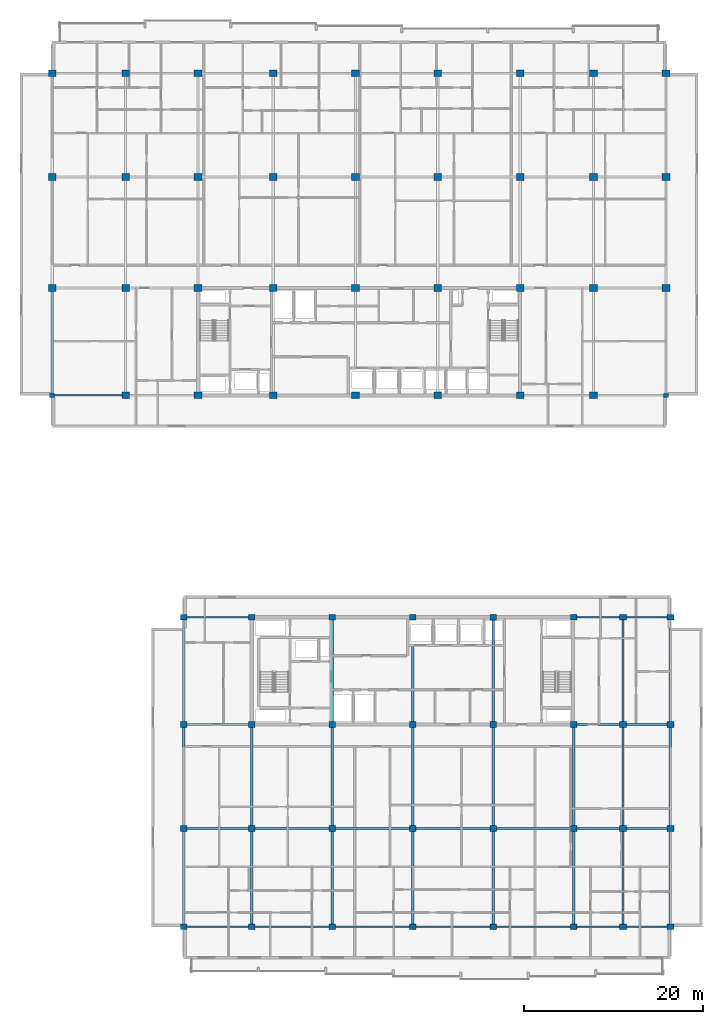
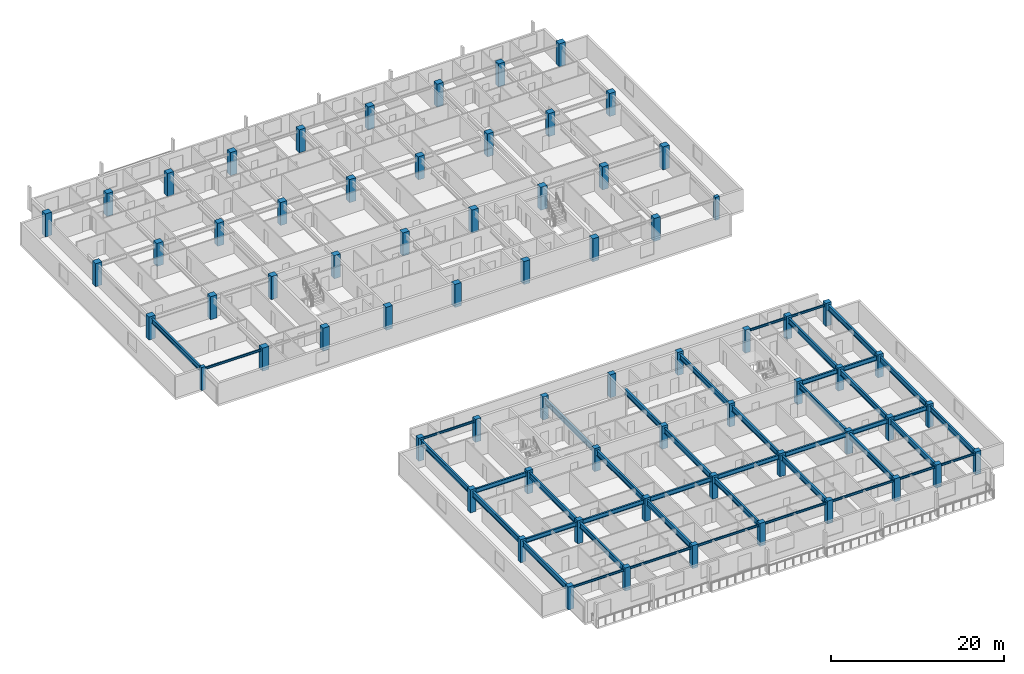
# One storey, part 1 of 23: 68 columns, 44 beams.
"""IFC4 building model written with IfcOpenShell, lengths in metres."""

from ifc_helpers import new_model, si_unit, direction, frame, origin, origin_2d, place, context, subcontext, project, spatial, rectangle, i_section, extrude, material, material_profile, profile_set, type_object, element, save


model = new_model("IFC4")

# Units and contexts
model_context = context("Model", 3, precision=1e-05, world=origin(), true_north=direction((0.0, 1.0)))
body_context = subcontext(model_context, "Body", "Model", "MODEL_VIEW")
ifc_project = project(units=[si_unit("LENGTHUNIT", "METRE"), si_unit("AREAUNIT", "SQUARE_METRE"), si_unit("VOLUMEUNIT", "CUBIC_METRE"), si_unit("PLANEANGLEUNIT", "RADIAN"), si_unit("MASSUNIT", "GRAM", prefix="KILO")], contexts=[model_context])

# Site, building, storey
site_placement = place(None, origin())
site = spatial("IfcSite", under=ifc_project, at=site_placement, CompositionType="ELEMENT")
building_placement = place(site_placement, origin())
building = spatial("IfcBuilding", under=site, at=building_placement, Name="Korimba Cascade Residences", CompositionType="ELEMENT")
storey_placement = place(building_placement, frame((0.0, 0.0, 165.35009765625)))
storey = spatial("IfcBuildingStorey", under=building, at=storey_placement, Name="L47", CompositionType="ELEMENT", Elevation=165.35009765625)

# Columns
ifc_material_1 = material(Name="Concrete C65/80", Category="concrete")
ifc_material_profile_1 = material_profile(ifc_material_1, rectangle(XDim=0.550048828125, YDim=0.449951171875, at=origin_2d()), Name="Concrete C65/80")
ifc_profile_set_1 = profile_set([ifc_material_profile_1], Name="Concrete C65/80")
column_type_1 = type_object("IfcColumnType", Name="COL-PIL-550", PredefinedType="PILASTER", material=ifc_profile_set_1)
for number, where, z_axis, x_axis, name in (
    (1, (59.800048828125, 55.199951171875, 0.0), (0.0, 0.0, 1.0), (1.0, 0.0, 0.0), "L47 Tower 1 Column 1.1"),
    (2, (128.39990234375, 55.199951171875, 0.0), (0.0, 0.0, 1.0), (1.0, 0.0, 0.0), "L47 Tower 1 Column 9.1"),
):
    element("IfcColumn", number, at=place(storey_placement, frame(where, z_axis=z_axis, x_axis=x_axis)), inside=storey, type_object=column_type_1, Name=name, PredefinedType="PILASTER", context=body_context, shape_type="SweptSolid", body=[
        extrude(rectangle(XDim=0.550048828125, YDim=0.449951171875, at=origin_2d()), origin(), (0.0, 0.0, 1.0), 3.25),
    ])
ifc_material_2 = material(Name="Concrete C50/60", Category="concrete")
ifc_material_profile_2 = material_profile(ifc_material_2, rectangle(XDim=0.75, YDim=0.64990234375, at=origin_2d()), Name="Concrete C50/60")
ifc_profile_set_2 = profile_set([ifc_material_profile_2], Name="Concrete C50/60")
column_type_2 = type_object("IfcColumnType", Name="COL-RC-750", PredefinedType="COLUMN", material=ifc_profile_set_2)
for number, where, z_axis, x_axis, name in (
    (3, (74.5, -4.199951171875, 0.0), (0.0, 0.0, 1.0), (1.0, 0.0, 0.0), "L47 Tower 2 Column 1.1"),
    (4, (74.5, 6.800048828125, 0.0), (0.0, 0.0, 1.0), (1.0, 0.0, 0.0), "L47 Tower 2 Column 1.2"),
    (5, (74.5, 18.39990234375, 0.0), (0.0, 0.0, 1.0), (1.0, 0.0, 0.0), "L47 Tower 2 Column 1.3"),
    (6, (74.5, 30.39990234375, 0.0), (0.0, 0.0, 1.0), (1.0, 0.0, 0.0), "L47 Tower 2 Column 1.4"),
    (7, (82.10009765625, -4.199951171875, 0.0), (0.0, 0.0, 1.0), (1.0, 0.0, 0.0), "L47 Tower 2 Column 2.1"),
    (8, (82.10009765625, 6.800048828125, 0.0), (0.0, 0.0, 1.0), (1.0, 0.0, 0.0), "L47 Tower 2 Column 2.2"),
    (9, (82.10009765625, 18.39990234375, 0.0), (0.0, 0.0, 1.0), (1.0, 0.0, 0.0), "L47 Tower 2 Column 2.3"),
    (10, (82.10009765625, 30.39990234375, 0.0), (0.0, 0.0, 1.0), (1.0, 0.0, 0.0), "L47 Tower 2 Column 2.4"),
    (11, (91.10009765625, -4.199951171875, 0.0), (0.0, 0.0, 1.0), (1.0, 0.0, 0.0), "L47 Tower 2 Column 3.1"),
    (12, (91.10009765625, 6.800048828125, 0.0), (0.0, 0.0, 1.0), (1.0, 0.0, 0.0), "L47 Tower 2 Column 3.2"),
    (13, (91.10009765625, 18.39990234375, 0.0), (0.0, 0.0, 1.0), (1.0, 0.0, 0.0), "L47 Tower 2 Column 3.3"),
    (14, (91.10009765625, 30.39990234375, 0.0), (0.0, 0.0, 1.0), (1.0, 0.0, 0.0), "L47 Tower 2 Column 3.4"),
    (15, (100.10009765625, -4.199951171875, 0.0), (0.0, 0.0, 1.0), (1.0, 0.0, 0.0), "L47 Tower 2 Column 4.1"),
    (16, (100.10009765625, 6.800048828125, 0.0), (0.0, 0.0, 1.0), (1.0, 0.0, 0.0), "L47 Tower 2 Column 4.2"),
    (17, (100.10009765625, 18.39990234375, 0.0), (0.0, 0.0, 1.0), (1.0, 0.0, 0.0), "L47 Tower 2 Column 4.3"),
    (18, (100.10009765625, 30.39990234375, 0.0), (0.0, 0.0, 1.0), (1.0, 0.0, 0.0), "L47 Tower 2 Column 4.4"),
    (19, (109.10009765625, -4.199951171875, 0.0), (0.0, 0.0, 1.0), (1.0, 0.0, 0.0), "L47 Tower 2 Column 5.1"),
    (20, (109.10009765625, 6.800048828125, 0.0), (0.0, 0.0, 1.0), (1.0, 0.0, 0.0), "L47 Tower 2 Column 5.2"),
    (21, (109.10009765625, 18.39990234375, 0.0), (0.0, 0.0, 1.0), (1.0, 0.0, 0.0), "L47 Tower 2 Column 5.3"),
    (22, (109.10009765625, 30.39990234375, 0.0), (0.0, 0.0, 1.0), (1.0, 0.0, 0.0), "L47 Tower 2 Column 5.4"),
    (23, (118.10009765625, -4.199951171875, 0.0), (0.0, 0.0, 1.0), (1.0, 0.0, 0.0), "L47 Tower 2 Column 6.1"),
    (24, (118.10009765625, 6.800048828125, 0.0), (0.0, 0.0, 1.0), (1.0, 0.0, 0.0), "L47 Tower 2 Column 6.2"),
    (25, (118.10009765625, 18.39990234375, 0.0), (0.0, 0.0, 1.0), (1.0, 0.0, 0.0), "L47 Tower 2 Column 6.3"),
    (26, (118.10009765625, 30.39990234375, 0.0), (0.0, 0.0, 1.0), (1.0, 0.0, 0.0), "L47 Tower 2 Column 6.4"),
    (27, (123.60009765625, -4.199951171875, 0.0), (0.0, 0.0, 1.0), (1.0, 0.0, 0.0), "L47 Tower 2 Column 7.1"),
    (28, (123.60009765625, 6.800048828125, 0.0), (0.0, 0.0, 1.0), (1.0, 0.0, 0.0), "L47 Tower 2 Column 7.2"),
    (29, (123.60009765625, 18.39990234375, 0.0), (0.0, 0.0, 1.0), (1.0, 0.0, 0.0), "L47 Tower 2 Column 7.3"),
    (30, (123.60009765625, 30.39990234375, 0.0), (0.0, 0.0, 1.0), (1.0, 0.0, 0.0), "L47 Tower 2 Column 7.4"),
    (31, (128.89990234375, -4.199951171875, 0.0), (0.0, 0.0, 1.0), (1.0, 0.0, 0.0), "L47 Tower 2 Column 8.1"),
    (32, (128.89990234375, 6.800048828125, 0.0), (0.0, 0.0, 1.0), (1.0, 0.0, 0.0), "L47 Tower 2 Column 8.2"),
    (33, (128.89990234375, 18.39990234375, 0.0), (0.0, 0.0, 1.0), (1.0, 0.0, 0.0), "L47 Tower 2 Column 8.3"),
    (34, (128.89990234375, 30.39990234375, 0.0), (0.0, 0.0, 1.0), (1.0, 0.0, 0.0), "L47 Tower 2 Column 8.4"),
):
    element("IfcColumn", number, at=place(storey_placement, frame(where, z_axis=z_axis, x_axis=x_axis)), inside=storey, type_object=column_type_2, Name=name, PredefinedType="COLUMN", context=body_context, shape_type="SweptSolid", body=[
        extrude(rectangle(XDim=0.75, YDim=0.64990234375, at=origin_2d()), origin(), (0.0, 0.0, 1.0), 3.25),
    ])
ifc_material_profile_3 = material_profile(ifc_material_1, rectangle(XDim=0.85009765625, YDim=0.75, at=origin_2d()), Name="Concrete C65/80")
ifc_profile_set_3 = profile_set([ifc_material_profile_3], Name="Concrete C65/80")
column_type_3 = type_object("IfcColumnType", Name="COL-RC-850", PredefinedType="COLUMN", material=ifc_profile_set_3)
for number, where, z_axis, x_axis, name in (
    (35, (59.800048828125, 67.199951171875, 0.0), (0.0, 0.0, 1.0), (1.0, 0.0, 0.0), "L47 Tower 1 Column 1.2"),
    (36, (59.800048828125, 79.60009765625, 0.0), (0.0, 0.0, 1.0), (1.0, 0.0, 0.0), "L47 Tower 1 Column 1.3"),
    (37, (59.800048828125, 91.199951171875, 0.0), (0.0, 0.0, 1.0), (1.0, 0.0, 0.0), "L47 Tower 1 Column 1.4"),
    (38, (68.0, 55.199951171875, 0.0), (0.0, 0.0, 1.0), (1.0, 0.0, 0.0), "L47 Tower 1 Column 2.1"),
    (39, (68.0, 67.199951171875, 0.0), (0.0, 0.0, 1.0), (1.0, 0.0, 0.0), "L47 Tower 1 Column 2.2"),
    (40, (68.0, 79.60009765625, 0.0), (0.0, 0.0, 1.0), (1.0, 0.0, 0.0), "L47 Tower 1 Column 2.3"),
    (41, (68.0, 91.199951171875, 0.0), (0.0, 0.0, 1.0), (1.0, 0.0, 0.0), "L47 Tower 1 Column 2.4"),
    (42, (76.10009765625, 55.199951171875, 0.0), (0.0, 0.0, 1.0), (1.0, 0.0, 0.0), "L47 Tower 1 Column 3.1"),
    (43, (76.10009765625, 67.199951171875, 0.0), (0.0, 0.0, 1.0), (1.0, 0.0, 0.0), "L47 Tower 1 Column 3.2"),
    (44, (76.10009765625, 79.60009765625, 0.0), (0.0, 0.0, 1.0), (1.0, 0.0, 0.0), "L47 Tower 1 Column 3.3"),
    (45, (76.10009765625, 91.199951171875, 0.0), (0.0, 0.0, 1.0), (1.0, 0.0, 0.0), "L47 Tower 1 Column 3.4"),
    (46, (84.5, 55.199951171875, 0.0), (0.0, 0.0, 1.0), (1.0, 0.0, 0.0), "L47 Tower 1 Column 4.1"),
    (47, (84.5, 67.199951171875, 0.0), (0.0, 0.0, 1.0), (1.0, 0.0, 0.0), "L47 Tower 1 Column 4.2"),
    (48, (84.5, 79.60009765625, 0.0), (0.0, 0.0, 1.0), (1.0, 0.0, 0.0), "L47 Tower 1 Column 4.3"),
    (49, (84.5, 91.199951171875, 0.0), (0.0, 0.0, 1.0), (1.0, 0.0, 0.0), "L47 Tower 1 Column 4.4"),
    (50, (93.699951171875, 55.199951171875, 0.0), (0.0, 0.0, 1.0), (1.0, 0.0, 0.0), "L47 Tower 1 Column 5.1"),
    (51, (93.699951171875, 67.199951171875, 0.0), (0.0, 0.0, 1.0), (1.0, 0.0, 0.0), "L47 Tower 1 Column 5.2"),
    (52, (93.699951171875, 79.60009765625, 0.0), (0.0, 0.0, 1.0), (1.0, 0.0, 0.0), "L47 Tower 1 Column 5.3"),
    (53, (93.699951171875, 91.199951171875, 0.0), (0.0, 0.0, 1.0), (1.0, 0.0, 0.0), "L47 Tower 1 Column 5.4"),
    (54, (102.89990234375, 55.199951171875, 0.0), (0.0, 0.0, 1.0), (1.0, 0.0, 0.0), "L47 Tower 1 Column 6.1"),
    (55, (102.89990234375, 67.199951171875, 0.0), (0.0, 0.0, 1.0), (1.0, 0.0, 0.0), "L47 Tower 1 Column 6.2"),
    (56, (102.89990234375, 79.60009765625, 0.0), (0.0, 0.0, 1.0), (1.0, 0.0, 0.0), "L47 Tower 1 Column 6.3"),
    (57, (102.89990234375, 91.199951171875, 0.0), (0.0, 0.0, 1.0), (1.0, 0.0, 0.0), "L47 Tower 1 Column 6.4"),
    (58, (112.10009765625, 55.199951171875, 0.0), (0.0, 0.0, 1.0), (1.0, 0.0, 0.0), "L47 Tower 1 Column 7.1"),
    (59, (112.10009765625, 67.199951171875, 0.0), (0.0, 0.0, 1.0), (1.0, 0.0, 0.0), "L47 Tower 1 Column 7.2"),
    (60, (112.10009765625, 79.60009765625, 0.0), (0.0, 0.0, 1.0), (1.0, 0.0, 0.0), "L47 Tower 1 Column 7.3"),
    (61, (112.10009765625, 91.199951171875, 0.0), (0.0, 0.0, 1.0), (1.0, 0.0, 0.0), "L47 Tower 1 Column 7.4"),
    (62, (120.300048828125, 55.199951171875, 0.0), (0.0, 0.0, 1.0), (1.0, 0.0, 0.0), "L47 Tower 1 Column 8.1"),
    (63, (120.300048828125, 67.199951171875, 0.0), (0.0, 0.0, 1.0), (1.0, 0.0, 0.0), "L47 Tower 1 Column 8.2"),
    (64, (120.300048828125, 79.60009765625, 0.0), (0.0, 0.0, 1.0), (1.0, 0.0, 0.0), "L47 Tower 1 Column 8.3"),
    (65, (120.300048828125, 91.199951171875, 0.0), (0.0, 0.0, 1.0), (1.0, 0.0, 0.0), "L47 Tower 1 Column 8.4"),
    (66, (128.39990234375, 67.199951171875, 0.0), (0.0, 0.0, 1.0), (1.0, 0.0, 0.0), "L47 Tower 1 Column 9.2"),
    (67, (128.39990234375, 79.60009765625, 0.0), (0.0, 0.0, 1.0), (1.0, 0.0, 0.0), "L47 Tower 1 Column 9.3"),
    (68, (128.39990234375, 91.199951171875, 0.0), (0.0, 0.0, 1.0), (1.0, 0.0, 0.0), "L47 Tower 1 Column 9.4"),
):
    element("IfcColumn", number, at=place(storey_placement, frame(where, z_axis=z_axis, x_axis=x_axis)), inside=storey, type_object=column_type_3, Name=name, PredefinedType="COLUMN", context=body_context, shape_type="SweptSolid", body=[
        extrude(rectangle(XDim=0.85009765625, YDim=0.75, at=origin_2d()), origin(), (0.0, 0.0, 1.0), 3.25),
    ])

# Beams
ifc_material_3 = material(Name="Steel S355", Category="steel")
ifc_material_profile_4 = material_profile(ifc_material_3, i_section(OverallWidth=0.165771484375, OverallDepth=0.306640625, WebThickness=0.006591796875, FlangeThickness=0.01171875, FilletRadius=0.0087890625, at=origin_2d()), Name="Steel S355")
ifc_profile_set_4 = profile_set([ifc_material_profile_4], Name="Steel S355")
beam_type_1 = type_object("IfcBeamType", Name="BM-STL-UB305", PredefinedType="SPANDREL", material=ifc_profile_set_4)
beam_1_placement = place(storey_placement, frame((60.074951171875, 55.199951171875, 2.816650390625), z_axis=(1.0, 0.0, 0.0), x_axis=(0.0, 1.0, 0.0)))
element("IfcBeam", 69, at=beam_1_placement, inside=storey, type_object=beam_type_1, Name="L47 T1 E-W Girder Y1 Bay 1", PredefinedType="SPANDREL", context=body_context, shape_type="SweptSolid", body=[
    extrude(i_section(OverallWidth=0.165771484375, OverallDepth=0.306640625, WebThickness=0.006591796875, FlangeThickness=0.01171875, FilletRadius=0.0087890625, at=origin_2d()), origin(), (0.0, 0.0, 1.0), 7.5),
])
beam_2_placement = place(storey_placement, frame((74.875, -4.199951171875, 2.816650390625), z_axis=(1.0, 0.0, 0.0), x_axis=(0.0, 1.0, 0.0)))
element("IfcBeam", 70, at=beam_2_placement, inside=storey, type_object=beam_type_1, Name="L47 T2 E-W Girder Y1 Bay 1", PredefinedType="SPANDREL", context=body_context, shape_type="SweptSolid", body=[
    extrude(i_section(OverallWidth=0.165771484375, OverallDepth=0.306640625, WebThickness=0.006591796875, FlangeThickness=0.01171875, FilletRadius=0.0087890625, at=origin_2d()), origin(), (0.0, 0.0, 1.0), 6.85009765625),
])
for number, where, z_axis, x_axis, name in (
    (71, (82.47509765625, -4.199951171875, 2.816650390625), (1.0, 0.0, 0.0), (0.0, 1.0, 0.0), "L47 T2 E-W Girder Y1 Bay 2"),
    (72, (91.47509765625, -4.199951171875, 2.816650390625), (1.0, 0.0, 0.0), (0.0, 1.0, 0.0), "L47 T2 E-W Girder Y1 Bay 3"),
    (73, (100.47509765625, -4.199951171875, 2.816650390625), (1.0, 0.0, 0.0), (0.0, 1.0, 0.0), "L47 T2 E-W Girder Y1 Bay 4"),
    (74, (109.47509765625, -4.199951171875, 2.816650390625), (1.0, 0.0, 0.0), (0.0, 1.0, 0.0), "L47 T2 E-W Girder Y1 Bay 5"),
):
    element("IfcBeam", number, at=place(storey_placement, frame(where, z_axis=z_axis, x_axis=x_axis)), inside=storey, type_object=beam_type_1, Name=name, PredefinedType="SPANDREL", context=body_context, shape_type="SweptSolid", body=[
        extrude(i_section(OverallWidth=0.165771484375, OverallDepth=0.306640625, WebThickness=0.006591796875, FlangeThickness=0.01171875, FilletRadius=0.0087890625, at=origin_2d()), origin(), (0.0, 0.0, 1.0), 8.25),
    ])
beam_3_placement = place(storey_placement, frame((118.47509765625, -4.199951171875, 2.816650390625), z_axis=(1.0, 0.0, 0.0), x_axis=(0.0, 1.0, 0.0)))
element("IfcBeam", 75, at=beam_3_placement, inside=storey, type_object=beam_type_1, Name="L47 T2 E-W Girder Y1 Bay 6", PredefinedType="SPANDREL", context=body_context, shape_type="SweptSolid", body=[
    extrude(i_section(OverallWidth=0.165771484375, OverallDepth=0.306640625, WebThickness=0.006591796875, FlangeThickness=0.01171875, FilletRadius=0.0087890625, at=origin_2d()), origin(), (0.0, 0.0, 1.0), 4.75),
])
beam_4_placement = place(storey_placement, frame((123.97509765625, -4.199951171875, 2.816650390625), z_axis=(1.0, 0.0, 0.0), x_axis=(0.0, 1.0, 0.0)))
element("IfcBeam", 76, at=beam_4_placement, inside=storey, type_object=beam_type_1, Name="L47 T2 E-W Girder Y1 Bay 7", PredefinedType="SPANDREL", context=body_context, shape_type="SweptSolid", body=[
    extrude(i_section(OverallWidth=0.165771484375, OverallDepth=0.306640625, WebThickness=0.006591796875, FlangeThickness=0.01171875, FilletRadius=0.0087890625, at=origin_2d()), origin(), (0.0, 0.0, 1.0), 4.5498046875),
])
beam_5_placement = place(storey_placement, frame((74.875, 30.39990234375, 2.816650390625), z_axis=(1.0, 0.0, 0.0), x_axis=(0.0, 1.0, 0.0)))
element("IfcBeam", 77, at=beam_5_placement, inside=storey, type_object=beam_type_1, Name="L47 T2 E-W Girder Y4 Bay 1", PredefinedType="SPANDREL", context=body_context, shape_type="SweptSolid", body=[
    extrude(i_section(OverallWidth=0.165771484375, OverallDepth=0.306640625, WebThickness=0.006591796875, FlangeThickness=0.01171875, FilletRadius=0.0087890625, at=origin_2d()), origin(), (0.0, 0.0, 1.0), 6.85009765625),
])
beam_6_placement = place(storey_placement, frame((118.47509765625, 30.39990234375, 2.816650390625), z_axis=(1.0, 0.0, 0.0), x_axis=(0.0, 1.0, 0.0)))
element("IfcBeam", 78, at=beam_6_placement, inside=storey, type_object=beam_type_1, Name="L47 T2 E-W Girder Y4 Bay 6", PredefinedType="SPANDREL", context=body_context, shape_type="SweptSolid", body=[
    extrude(i_section(OverallWidth=0.165771484375, OverallDepth=0.306640625, WebThickness=0.006591796875, FlangeThickness=0.01171875, FilletRadius=0.0087890625, at=origin_2d()), origin(), (0.0, 0.0, 1.0), 4.75),
])
beam_7_placement = place(storey_placement, frame((123.97509765625, 30.39990234375, 2.816650390625), z_axis=(1.0, 0.0, 0.0), x_axis=(0.0, 1.0, 0.0)))
element("IfcBeam", 79, at=beam_7_placement, inside=storey, type_object=beam_type_1, Name="L47 T2 E-W Girder Y4 Bay 7", PredefinedType="SPANDREL", context=body_context, shape_type="SweptSolid", body=[
    extrude(i_section(OverallWidth=0.165771484375, OverallDepth=0.306640625, WebThickness=0.006591796875, FlangeThickness=0.01171875, FilletRadius=0.0087890625, at=origin_2d()), origin(), (0.0, 0.0, 1.0), 4.5498046875),
])
ifc_material_profile_5 = material_profile(ifc_material_3, i_section(OverallWidth=0.22900390625, OverallDepth=0.6123046875, WebThickness=0.011962890625, FlangeThickness=0.01953125, FilletRadius=0.0126953125, at=origin_2d()), Name="Steel S355")
ifc_profile_set_5 = profile_set([ifc_material_profile_5], Name="Steel S355")
beam_type_2 = type_object("IfcBeamType", Name="BM-STL-UB610B", PredefinedType="BEAM", material=ifc_profile_set_5)
beam_8_placement = place(storey_placement, frame((74.875, 6.800048828125, 2.663818359375), z_axis=(1.0, 0.0, 0.0), x_axis=(0.0, 1.0, 0.0)))
element("IfcBeam", 80, at=beam_8_placement, inside=storey, type_object=beam_type_2, Name="L47 T2 E-W Girder Y2 Bay 1", PredefinedType="BEAM", context=body_context, shape_type="SweptSolid", body=[
    extrude(i_section(OverallWidth=0.22900390625, OverallDepth=0.6123046875, WebThickness=0.011962890625, FlangeThickness=0.01953125, FilletRadius=0.0126953125, at=origin_2d()), origin(), (0.0, 0.0, 1.0), 6.85009765625),
])
for number, where, z_axis, x_axis, name in (
    (81, (82.47509765625, 6.800048828125, 2.663818359375), (1.0, 0.0, 0.0), (0.0, 1.0, 0.0), "L47 T2 E-W Girder Y2 Bay 2"),
    (82, (91.47509765625, 6.800048828125, 2.663818359375), (1.0, 0.0, 0.0), (0.0, 1.0, 0.0), "L47 T2 E-W Girder Y2 Bay 3"),
    (83, (100.47509765625, 6.800048828125, 2.663818359375), (1.0, 0.0, 0.0), (0.0, 1.0, 0.0), "L47 T2 E-W Girder Y2 Bay 4"),
    (84, (109.47509765625, 6.800048828125, 2.663818359375), (1.0, 0.0, 0.0), (0.0, 1.0, 0.0), "L47 T2 E-W Girder Y2 Bay 5"),
):
    element("IfcBeam", number, at=place(storey_placement, frame(where, z_axis=z_axis, x_axis=x_axis)), inside=storey, type_object=beam_type_2, Name=name, PredefinedType="BEAM", context=body_context, shape_type="SweptSolid", body=[
        extrude(i_section(OverallWidth=0.22900390625, OverallDepth=0.6123046875, WebThickness=0.011962890625, FlangeThickness=0.01953125, FilletRadius=0.0126953125, at=origin_2d()), origin(), (0.0, 0.0, 1.0), 8.25),
    ])
beam_9_placement = place(storey_placement, frame((118.47509765625, 6.800048828125, 2.663818359375), z_axis=(1.0, 0.0, 0.0), x_axis=(0.0, 1.0, 0.0)))
element("IfcBeam", 85, at=beam_9_placement, inside=storey, type_object=beam_type_2, Name="L47 T2 E-W Girder Y2 Bay 6", PredefinedType="BEAM", context=body_context, shape_type="SweptSolid", body=[
    extrude(i_section(OverallWidth=0.22900390625, OverallDepth=0.6123046875, WebThickness=0.011962890625, FlangeThickness=0.01953125, FilletRadius=0.0126953125, at=origin_2d()), origin(), (0.0, 0.0, 1.0), 4.75),
])
beam_10_placement = place(storey_placement, frame((123.97509765625, 6.800048828125, 2.663818359375), z_axis=(1.0, 0.0, 0.0), x_axis=(0.0, 1.0, 0.0)))
element("IfcBeam", 86, at=beam_10_placement, inside=storey, type_object=beam_type_2, Name="L47 T2 E-W Girder Y2 Bay 7", PredefinedType="BEAM", context=body_context, shape_type="SweptSolid", body=[
    extrude(i_section(OverallWidth=0.22900390625, OverallDepth=0.6123046875, WebThickness=0.011962890625, FlangeThickness=0.01953125, FilletRadius=0.0126953125, at=origin_2d()), origin(), (0.0, 0.0, 1.0), 4.5498046875),
])
beam_11_placement = place(storey_placement, frame((74.875, 18.39990234375, 2.663818359375), z_axis=(1.0, 0.0, 0.0), x_axis=(0.0, 1.0, 0.0)))
element("IfcBeam", 87, at=beam_11_placement, inside=storey, type_object=beam_type_2, Name="L47 T2 E-W Girder Y3 Bay 1", PredefinedType="BEAM", context=body_context, shape_type="SweptSolid", body=[
    extrude(i_section(OverallWidth=0.22900390625, OverallDepth=0.6123046875, WebThickness=0.011962890625, FlangeThickness=0.01953125, FilletRadius=0.0126953125, at=origin_2d()), origin(), (0.0, 0.0, 1.0), 6.85009765625),
])
beam_12_placement = place(storey_placement, frame((118.47509765625, 18.39990234375, 2.663818359375), z_axis=(1.0, 0.0, 0.0), x_axis=(0.0, 1.0, 0.0)))
element("IfcBeam", 88, at=beam_12_placement, inside=storey, type_object=beam_type_2, Name="L47 T2 E-W Girder Y3 Bay 6", PredefinedType="BEAM", context=body_context, shape_type="SweptSolid", body=[
    extrude(i_section(OverallWidth=0.22900390625, OverallDepth=0.6123046875, WebThickness=0.011962890625, FlangeThickness=0.01953125, FilletRadius=0.0126953125, at=origin_2d()), origin(), (0.0, 0.0, 1.0), 4.75),
])
beam_13_placement = place(storey_placement, frame((123.97509765625, 18.39990234375, 2.663818359375), z_axis=(1.0, 0.0, 0.0), x_axis=(0.0, 1.0, 0.0)))
element("IfcBeam", 89, at=beam_13_placement, inside=storey, type_object=beam_type_2, Name="L47 T2 E-W Girder Y3 Bay 7", PredefinedType="BEAM", context=body_context, shape_type="SweptSolid", body=[
    extrude(i_section(OverallWidth=0.22900390625, OverallDepth=0.6123046875, WebThickness=0.011962890625, FlangeThickness=0.01953125, FilletRadius=0.0126953125, at=origin_2d()), origin(), (0.0, 0.0, 1.0), 4.5498046875),
])
ifc_material_profile_6 = material_profile(ifc_material_3, i_section(OverallWidth=0.255859375, OverallDepth=0.69287109375, WebThickness=0.014404296875, FlangeThickness=0.023681640625, FilletRadius=0.01513671875, at=origin_2d()), Name="Steel S355")
ifc_profile_set_6 = profile_set([ifc_material_profile_6], Name="Steel S355")
beam_type_3 = type_object("IfcBeamType", Name="BM-STL-UB686", PredefinedType="BEAM", material=ifc_profile_set_6)
beam_14_placement = place(storey_placement, frame((59.800048828125, 55.425048828125, 2.623291015625), z_axis=(0.0, 1.0, 0.0), x_axis=(-1.0, 0.0, 0.0)))
element("IfcBeam", 90, at=beam_14_placement, inside=storey, type_object=beam_type_3, Name="L47 T1 N-S Girder X1 Seg 1", PredefinedType="BEAM", context=body_context, shape_type="SweptSolid", body=[
    extrude(i_section(OverallWidth=0.255859375, OverallDepth=0.69287109375, WebThickness=0.014404296875, FlangeThickness=0.023681640625, FilletRadius=0.01513671875, at=origin_2d()), origin(), (0.0, 0.0, 1.0), 11.39990234375),
])
ifc_material_profile_7 = material_profile(ifc_material_3, i_section(OverallWidth=0.26806640625, OverallDepth=0.769775390625, WebThickness=0.015625, FlangeThickness=0.025390625, FilletRadius=0.0166015625, at=origin_2d()), Name="Steel S355")
ifc_profile_set_7 = profile_set([ifc_material_profile_7], Name="Steel S355")
beam_type_4 = type_object("IfcBeamType", Name="BM-STL-UB762", PredefinedType="BEAM", material=ifc_profile_set_7)
beam_15_placement = place(storey_placement, frame((74.5, -3.875, 2.5849609375), z_axis=(0.0, 1.0, 0.0), x_axis=(-1.0, 0.0, 0.0)))
element("IfcBeam", 91, at=beam_15_placement, inside=storey, type_object=beam_type_4, Name="L47 T2 N-S Girder X1 Seg 1", PredefinedType="BEAM", context=body_context, shape_type="SweptSolid", body=[
    extrude(i_section(OverallWidth=0.26806640625, OverallDepth=0.769775390625, WebThickness=0.015625, FlangeThickness=0.025390625, FilletRadius=0.0166015625, at=origin_2d()), origin(), (0.0, 0.0, 1.0), 10.35009765625),
])
beam_16_placement = place(storey_placement, frame((74.5, 7.125, 2.5849609375), z_axis=(0.0, 1.0, 0.0), x_axis=(-1.0, 0.0, 0.0)))
element("IfcBeam", 92, at=beam_16_placement, inside=storey, type_object=beam_type_4, Name="L47 T2 N-S Girder X1 Seg 2", PredefinedType="BEAM", context=body_context, shape_type="SweptSolid", body=[
    extrude(i_section(OverallWidth=0.26806640625, OverallDepth=0.769775390625, WebThickness=0.015625, FlangeThickness=0.025390625, FilletRadius=0.0166015625, at=origin_2d()), origin(), (0.0, 0.0, 1.0), 10.949951171875),
])
beam_17_placement = place(storey_placement, frame((74.5, 18.72509765625, 2.5849609375), z_axis=(0.0, 1.0, 0.0), x_axis=(-1.0, 0.0, 0.0)))
element("IfcBeam", 93, at=beam_17_placement, inside=storey, type_object=beam_type_4, Name="L47 T2 N-S Girder X1 Seg 3", PredefinedType="BEAM", context=body_context, shape_type="SweptSolid", body=[
    extrude(i_section(OverallWidth=0.26806640625, OverallDepth=0.769775390625, WebThickness=0.015625, FlangeThickness=0.025390625, FilletRadius=0.0166015625, at=origin_2d()), origin(), (0.0, 0.0, 1.0), 11.349853515625),
])
beam_18_placement = place(storey_placement, frame((82.10009765625, -3.875, 2.5849609375), z_axis=(0.0, 1.0, 0.0), x_axis=(-1.0, 0.0, 0.0)))
element("IfcBeam", 94, at=beam_18_placement, inside=storey, type_object=beam_type_4, Name="L47 T2 N-S Girder X2 Seg 1", PredefinedType="BEAM", context=body_context, shape_type="SweptSolid", body=[
    extrude(i_section(OverallWidth=0.26806640625, OverallDepth=0.769775390625, WebThickness=0.015625, FlangeThickness=0.025390625, FilletRadius=0.0166015625, at=origin_2d()), origin(), (0.0, 0.0, 1.0), 10.35009765625),
])
beam_19_placement = place(storey_placement, frame((82.10009765625, 7.125, 2.5849609375), z_axis=(0.0, 1.0, 0.0), x_axis=(-1.0, 0.0, 0.0)))
element("IfcBeam", 95, at=beam_19_placement, inside=storey, type_object=beam_type_4, Name="L47 T2 N-S Girder X2 Seg 2", PredefinedType="BEAM", context=body_context, shape_type="SweptSolid", body=[
    extrude(i_section(OverallWidth=0.26806640625, OverallDepth=0.769775390625, WebThickness=0.015625, FlangeThickness=0.025390625, FilletRadius=0.0166015625, at=origin_2d()), origin(), (0.0, 0.0, 1.0), 10.949951171875),
])
beam_20_placement = place(storey_placement, frame((91.10009765625, -3.875, 2.5849609375), z_axis=(0.0, 1.0, 0.0), x_axis=(-1.0, 0.0, 0.0)))
element("IfcBeam", 96, at=beam_20_placement, inside=storey, type_object=beam_type_4, Name="L47 T2 N-S Girder X3 Seg 1", PredefinedType="BEAM", context=body_context, shape_type="SweptSolid", body=[
    extrude(i_section(OverallWidth=0.26806640625, OverallDepth=0.769775390625, WebThickness=0.015625, FlangeThickness=0.025390625, FilletRadius=0.0166015625, at=origin_2d()), origin(), (0.0, 0.0, 1.0), 10.35009765625),
])
beam_21_placement = place(storey_placement, frame((91.10009765625, 7.125, 2.5849609375), z_axis=(0.0, 1.0, 0.0), x_axis=(-1.0, 0.0, 0.0)))
element("IfcBeam", 97, at=beam_21_placement, inside=storey, type_object=beam_type_4, Name="L47 T2 N-S Girder X3 Seg 2", PredefinedType="BEAM", context=body_context, shape_type="SweptSolid", body=[
    extrude(i_section(OverallWidth=0.26806640625, OverallDepth=0.769775390625, WebThickness=0.015625, FlangeThickness=0.025390625, FilletRadius=0.0166015625, at=origin_2d()), origin(), (0.0, 0.0, 1.0), 10.949951171875),
])
beam_22_placement = place(storey_placement, frame((91.10009765625, 18.72509765625, 2.5849609375), z_axis=(0.0, 1.0, 0.0), x_axis=(-1.0, 0.0, 0.0)))
element("IfcBeam", 98, at=beam_22_placement, inside=storey, type_object=beam_type_4, Name="L47 T2 N-S Girder X3 Seg 3", PredefinedType="BEAM", context=body_context, shape_type="SweptSolid", body=[
    extrude(i_section(OverallWidth=0.26806640625, OverallDepth=0.769775390625, WebThickness=0.015625, FlangeThickness=0.025390625, FilletRadius=0.0166015625, at=origin_2d()), origin(), (0.0, 0.0, 1.0), 11.349853515625),
])
beam_23_placement = place(storey_placement, frame((100.10009765625, -3.875, 2.5849609375), z_axis=(0.0, 1.0, 0.0), x_axis=(-1.0, 0.0, 0.0)))
element("IfcBeam", 99, at=beam_23_placement, inside=storey, type_object=beam_type_4, Name="L47 T2 N-S Girder X4 Seg 1", PredefinedType="BEAM", context=body_context, shape_type="SweptSolid", body=[
    extrude(i_section(OverallWidth=0.26806640625, OverallDepth=0.769775390625, WebThickness=0.015625, FlangeThickness=0.025390625, FilletRadius=0.0166015625, at=origin_2d()), origin(), (0.0, 0.0, 1.0), 10.35009765625),
])
beam_24_placement = place(storey_placement, frame((100.10009765625, 7.125, 2.5849609375), z_axis=(0.0, 1.0, 0.0), x_axis=(-1.0, 0.0, 0.0)))
element("IfcBeam", 100, at=beam_24_placement, inside=storey, type_object=beam_type_4, Name="L47 T2 N-S Girder X4 Seg 2", PredefinedType="BEAM", context=body_context, shape_type="SweptSolid", body=[
    extrude(i_section(OverallWidth=0.26806640625, OverallDepth=0.769775390625, WebThickness=0.015625, FlangeThickness=0.025390625, FilletRadius=0.0166015625, at=origin_2d()), origin(), (0.0, 0.0, 1.0), 10.949951171875),
])
beam_25_placement = place(storey_placement, frame((100.10009765625, 18.72509765625, 2.5849609375), z_axis=(0.0, 1.0, 0.0), x_axis=(-1.0, 0.0, 0.0)))
element("IfcBeam", 101, at=beam_25_placement, inside=storey, type_object=beam_type_4, Name="L47 T2 N-S Girder X4 Seg 3", PredefinedType="BEAM", context=body_context, shape_type="SweptSolid", body=[
    extrude(i_section(OverallWidth=0.26806640625, OverallDepth=0.769775390625, WebThickness=0.015625, FlangeThickness=0.025390625, FilletRadius=0.0166015625, at=origin_2d()), origin(), (0.0, 0.0, 1.0), 8.614990234375),
])
beam_26_placement = place(storey_placement, frame((109.10009765625, -3.875, 2.5849609375), z_axis=(0.0, 1.0, 0.0), x_axis=(-1.0, 0.0, 0.0)))
element("IfcBeam", 102, at=beam_26_placement, inside=storey, type_object=beam_type_4, Name="L47 T2 N-S Girder X5 Seg 1", PredefinedType="BEAM", context=body_context, shape_type="SweptSolid", body=[
    extrude(i_section(OverallWidth=0.26806640625, OverallDepth=0.769775390625, WebThickness=0.015625, FlangeThickness=0.025390625, FilletRadius=0.0166015625, at=origin_2d()), origin(), (0.0, 0.0, 1.0), 10.35009765625),
])
beam_27_placement = place(storey_placement, frame((109.10009765625, 7.125, 2.5849609375), z_axis=(0.0, 1.0, 0.0), x_axis=(-1.0, 0.0, 0.0)))
element("IfcBeam", 103, at=beam_27_placement, inside=storey, type_object=beam_type_4, Name="L47 T2 N-S Girder X5 Seg 2", PredefinedType="BEAM", context=body_context, shape_type="SweptSolid", body=[
    extrude(i_section(OverallWidth=0.26806640625, OverallDepth=0.769775390625, WebThickness=0.015625, FlangeThickness=0.025390625, FilletRadius=0.0166015625, at=origin_2d()), origin(), (0.0, 0.0, 1.0), 10.949951171875),
])
beam_28_placement = place(storey_placement, frame((109.10009765625, 18.72509765625, 2.5849609375), z_axis=(0.0, 1.0, 0.0), x_axis=(-1.0, 0.0, 0.0)))
element("IfcBeam", 104, at=beam_28_placement, inside=storey, type_object=beam_type_4, Name="L47 T2 N-S Girder X5 Seg 3", PredefinedType="BEAM", context=body_context, shape_type="SweptSolid", body=[
    extrude(i_section(OverallWidth=0.26806640625, OverallDepth=0.769775390625, WebThickness=0.015625, FlangeThickness=0.025390625, FilletRadius=0.0166015625, at=origin_2d()), origin(), (0.0, 0.0, 1.0), 11.349853515625),
])
beam_29_placement = place(storey_placement, frame((118.10009765625, -3.875, 2.5849609375), z_axis=(0.0, 1.0, 0.0), x_axis=(-1.0, 0.0, 0.0)))
element("IfcBeam", 105, at=beam_29_placement, inside=storey, type_object=beam_type_4, Name="L47 T2 N-S Girder X6 Seg 1", PredefinedType="BEAM", context=body_context, shape_type="SweptSolid", body=[
    extrude(i_section(OverallWidth=0.26806640625, OverallDepth=0.769775390625, WebThickness=0.015625, FlangeThickness=0.025390625, FilletRadius=0.0166015625, at=origin_2d()), origin(), (0.0, 0.0, 1.0), 10.35009765625),
])
beam_30_placement = place(storey_placement, frame((118.10009765625, 7.125, 2.5849609375), z_axis=(0.0, 1.0, 0.0), x_axis=(-1.0, 0.0, 0.0)))
element("IfcBeam", 106, at=beam_30_placement, inside=storey, type_object=beam_type_4, Name="L47 T2 N-S Girder X6 Seg 2", PredefinedType="BEAM", context=body_context, shape_type="SweptSolid", body=[
    extrude(i_section(OverallWidth=0.26806640625, OverallDepth=0.769775390625, WebThickness=0.015625, FlangeThickness=0.025390625, FilletRadius=0.0166015625, at=origin_2d()), origin(), (0.0, 0.0, 1.0), 10.949951171875),
])
beam_31_placement = place(storey_placement, frame((123.60009765625, -3.875, 2.5849609375), z_axis=(0.0, 1.0, 0.0), x_axis=(-1.0, 0.0, 0.0)))
element("IfcBeam", 107, at=beam_31_placement, inside=storey, type_object=beam_type_4, Name="L47 T2 N-S Girder X7 Seg 1", PredefinedType="BEAM", context=body_context, shape_type="SweptSolid", body=[
    extrude(i_section(OverallWidth=0.26806640625, OverallDepth=0.769775390625, WebThickness=0.015625, FlangeThickness=0.025390625, FilletRadius=0.0166015625, at=origin_2d()), origin(), (0.0, 0.0, 1.0), 10.35009765625),
])
beam_32_placement = place(storey_placement, frame((123.60009765625, 7.125, 2.5849609375), z_axis=(0.0, 1.0, 0.0), x_axis=(-1.0, 0.0, 0.0)))
element("IfcBeam", 108, at=beam_32_placement, inside=storey, type_object=beam_type_4, Name="L47 T2 N-S Girder X7 Seg 2", PredefinedType="BEAM", context=body_context, shape_type="SweptSolid", body=[
    extrude(i_section(OverallWidth=0.26806640625, OverallDepth=0.769775390625, WebThickness=0.015625, FlangeThickness=0.025390625, FilletRadius=0.0166015625, at=origin_2d()), origin(), (0.0, 0.0, 1.0), 10.949951171875),
])
beam_33_placement = place(storey_placement, frame((123.60009765625, 18.72509765625, 2.5849609375), z_axis=(0.0, 1.0, 0.0), x_axis=(-1.0, 0.0, 0.0)))
element("IfcBeam", 109, at=beam_33_placement, inside=storey, type_object=beam_type_4, Name="L47 T2 N-S Girder X7 Seg 3", PredefinedType="BEAM", context=body_context, shape_type="SweptSolid", body=[
    extrude(i_section(OverallWidth=0.26806640625, OverallDepth=0.769775390625, WebThickness=0.015625, FlangeThickness=0.025390625, FilletRadius=0.0166015625, at=origin_2d()), origin(), (0.0, 0.0, 1.0), 11.349853515625),
])
beam_34_placement = place(storey_placement, frame((128.89990234375, -3.875, 2.5849609375), z_axis=(0.0, 1.0, 0.0), x_axis=(-1.0, 0.0, 0.0)))
element("IfcBeam", 110, at=beam_34_placement, inside=storey, type_object=beam_type_4, Name="L47 T2 N-S Girder X8 Seg 1", PredefinedType="BEAM", context=body_context, shape_type="SweptSolid", body=[
    extrude(i_section(OverallWidth=0.26806640625, OverallDepth=0.769775390625, WebThickness=0.015625, FlangeThickness=0.025390625, FilletRadius=0.0166015625, at=origin_2d()), origin(), (0.0, 0.0, 1.0), 10.35009765625),
])
beam_35_placement = place(storey_placement, frame((128.89990234375, 7.125, 2.5849609375), z_axis=(0.0, 1.0, 0.0), x_axis=(-1.0, 0.0, 0.0)))
element("IfcBeam", 111, at=beam_35_placement, inside=storey, type_object=beam_type_4, Name="L47 T2 N-S Girder X8 Seg 2", PredefinedType="BEAM", context=body_context, shape_type="SweptSolid", body=[
    extrude(i_section(OverallWidth=0.26806640625, OverallDepth=0.769775390625, WebThickness=0.015625, FlangeThickness=0.025390625, FilletRadius=0.0166015625, at=origin_2d()), origin(), (0.0, 0.0, 1.0), 10.949951171875),
])
beam_36_placement = place(storey_placement, frame((128.89990234375, 18.72509765625, 2.5849609375), z_axis=(0.0, 1.0, 0.0), x_axis=(-1.0, 0.0, 0.0)))
element("IfcBeam", 112, at=beam_36_placement, inside=storey, type_object=beam_type_4, Name="L47 T2 N-S Girder X8 Seg 3", PredefinedType="BEAM", context=body_context, shape_type="SweptSolid", body=[
    extrude(i_section(OverallWidth=0.26806640625, OverallDepth=0.769775390625, WebThickness=0.015625, FlangeThickness=0.025390625, FilletRadius=0.0166015625, at=origin_2d()), origin(), (0.0, 0.0, 1.0), 11.349853515625),
])

save(model, "model.ifc")
